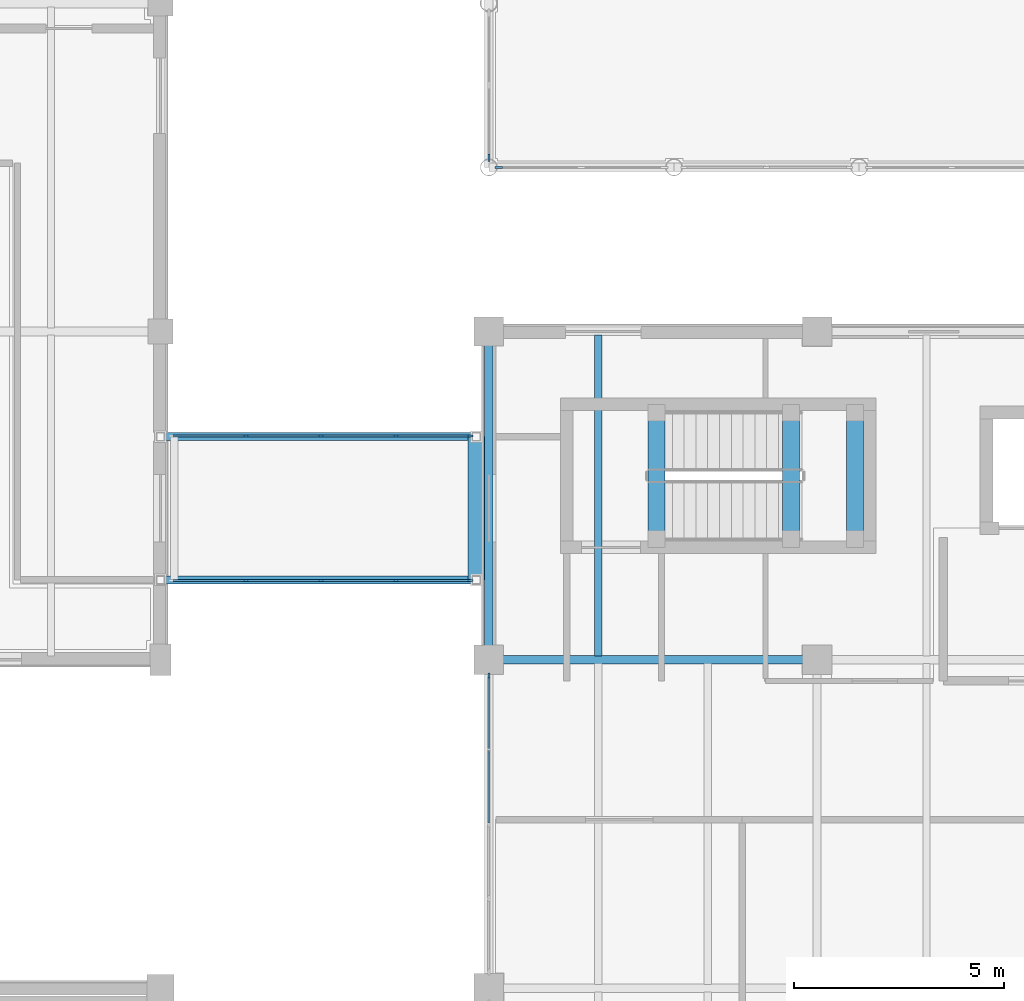
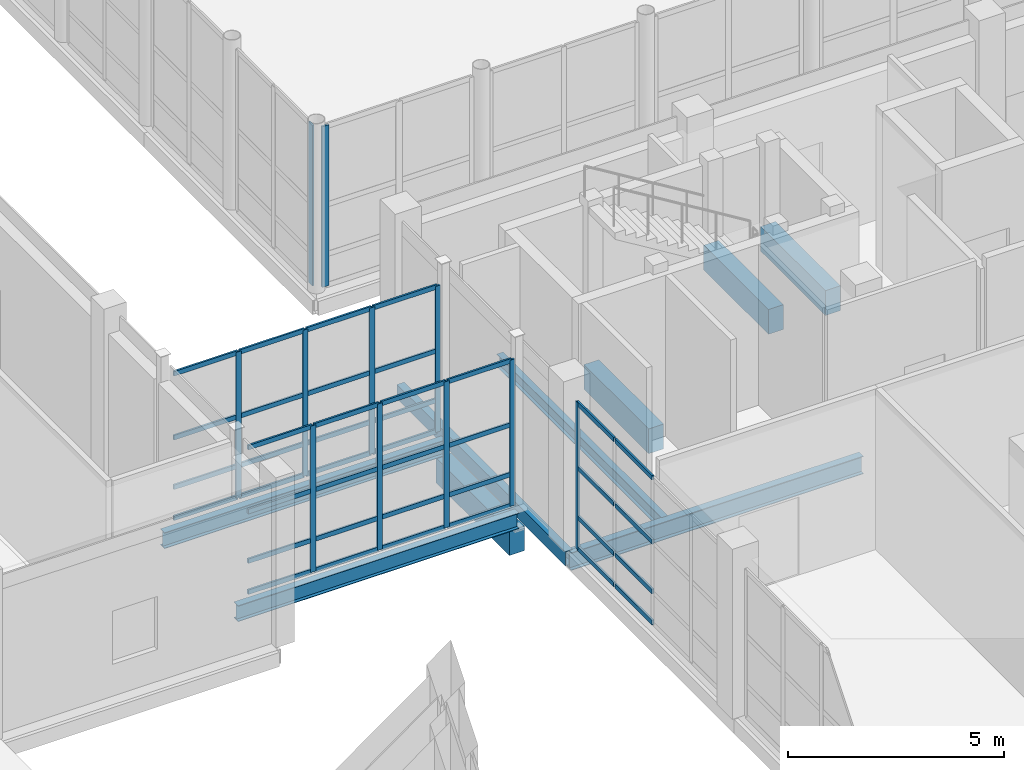
# One storey, part 32 of 131: 51 members, 9 beams, 5 elements without a shape of their own.
"""IFC4 building model written with IfcOpenShell, lengths in metres."""

from ifc_helpers import new_model, si_unit, direction, frame, origin, origin_2d, place, context, subcontext, project, spatial, rectangle, hollow_rectangle, i_section, extrude, material, layer, layer_set, material_profile, profile_set, type_object, element, aggregate, save


model = new_model("IFC4")

# Units and contexts
model_context = context("Model", 3, precision=1e-05, world=origin(), true_north=direction((0.0, 1.0)))
body_context = subcontext(model_context, "Body", "Model", "MODEL_VIEW")
ifc_project = project(units=[si_unit("LENGTHUNIT", "METRE"), si_unit("AREAUNIT", "SQUARE_METRE"), si_unit("VOLUMEUNIT", "CUBIC_METRE"), si_unit("PLANEANGLEUNIT", "RADIAN"), si_unit("MASSUNIT", "GRAM", prefix="KILO")], contexts=[model_context])

# Site, building, storey
site_placement = place(None, origin())
site = spatial("IfcSite", under=ifc_project, at=site_placement, CompositionType="ELEMENT")
building_placement = place(site_placement, origin())
building = spatial("IfcBuilding", under=site, at=building_placement, Name="Celorna Specialist Clinic", CompositionType="ELEMENT")
storey_placement = place(building_placement, origin())
storey = spatial("IfcBuildingStorey", under=building, at=storey_placement, Name="L00", CompositionType="ELEMENT", Elevation=0.0)

# Beams
ifc_material_1 = material(Name="Steel S355", Category="steel")
ifc_material_profile_1 = material_profile(ifc_material_1, i_section(OverallWidth=0.199951171875, OverallDepth=0.5, WebThickness=0.01025390625, FlangeThickness=0.01611328125, at=origin_2d()), Name="IPE 500")
ifc_profile_set_1 = profile_set([ifc_material_profile_1], Name="Steel S355")
beam_type_1 = type_object("IfcBeamType", Name="BM-08", PredefinedType="BEAM", material=ifc_profile_set_1)
beam_1_placement = place(storey_placement, frame((54.60009765625, 35.10009765625, -0.550048828125), z_axis=(1.0, 0.0, 0.0), x_axis=(0.0, 1.0, 0.0)))
element("IfcBeam", 1, at=beam_1_placement, inside=storey, type_object=beam_type_1, Name="Primary girder BM-08 #2022", PredefinedType="BEAM", context=body_context, shape_type="SweptSolid", body=[
    extrude(i_section(OverallWidth=0.199951171875, OverallDepth=0.5, WebThickness=0.01025390625, FlangeThickness=0.01611328125, at=origin_2d()), origin(), (0.0, 0.0, 1.0), 7.7998046875),
])
ifc_material_profile_2 = material_profile(ifc_material_1, i_section(OverallWidth=0.18994140625, OverallDepth=0.449951171875, WebThickness=0.009521484375, FlangeThickness=0.0146484375, at=origin_2d()), Name="IPE 450")
ifc_profile_set_2 = profile_set([ifc_material_profile_2], Name="Steel S355")
beam_type_2 = type_object("IfcBeamType", Name="BM-09", PredefinedType="BEAM", material=ifc_profile_set_2)
for number, where, z_axis, x_axis, name in (
    (2, (46.800048828125, 37.0, -0.445068359375), (1.0, 0.0, 0.0), (0.0, 1.0, 0.0), "Bridge BR-02 edge girder BM-09 #76"),
    (3, (46.800048828125, 40.39990234375, -0.445068359375), (1.0, 0.0, 0.0), (0.0, 1.0, 0.0), "Bridge BR-02 edge girder BM-09 #77"),
):
    element("IfcBeam", number, at=place(storey_placement, frame(where, z_axis=z_axis, x_axis=x_axis)), inside=storey, type_object=beam_type_2, Name=name, PredefinedType="BEAM", context=body_context, shape_type="SweptSolid", body=[
        extrude(i_section(OverallWidth=0.18994140625, OverallDepth=0.449951171875, WebThickness=0.009521484375, FlangeThickness=0.0146484375, at=origin_2d()), origin(), (0.0, 0.0, 1.0), 7.5),
    ])
ifc_material_profile_3 = material_profile(ifc_material_1, i_section(OverallWidth=0.169921875, OverallDepth=0.360107421875, WebThickness=0.008056640625, FlangeThickness=0.0126953125, at=origin_2d()), Name="IPE 360")
ifc_profile_set_3 = profile_set([ifc_material_profile_3], Name="Steel S355")
beam_type_3 = type_object("IfcBeamType", Name="BM-11", PredefinedType="JOIST", material=ifc_profile_set_3)
beam_2_placement = place(storey_placement, frame((57.199951171875, 35.18798828125, -0.47998046875), z_axis=(0.0, 1.0, 0.0), x_axis=(-1.0, 0.0, 0.0)))
element("IfcBeam", 4, at=beam_2_placement, inside=storey, type_object=beam_type_3, Name="Secondary floor joist BM-11 #2048", PredefinedType="JOIST", context=body_context, shape_type="SweptSolid", body=[
    extrude(i_section(OverallWidth=0.169921875, OverallDepth=0.360107421875, WebThickness=0.008056640625, FlangeThickness=0.0126953125, at=origin_2d()), origin(), (0.0, 0.0, 1.0), 7.6240234375),
])
ifc_material_profile_4 = material_profile(ifc_material_1, hollow_rectangle(XDim=0.199951171875, YDim=0.39990234375, WallThickness=0.011962890625, at=origin_2d()), Name="RHS 200x400x12")
ifc_profile_set_4 = profile_set([ifc_material_profile_4], Name="Steel S355")
beam_type_4 = type_object("IfcBeamType", Name="BM-15", PredefinedType="SPANDREL", material=ifc_profile_set_4)
beam_3_placement = place(storey_placement, frame((54.60009765625, 35.10009765625, -0.5), z_axis=(0.0, 1.0, 0.0), x_axis=(-1.0, 0.0, 0.0)))
element("IfcBeam", 5, at=beam_3_placement, inside=storey, type_object=beam_type_4, Name="Spandrel beam BM-15 #2032", PredefinedType="SPANDREL", context=body_context, shape_type="SweptSolid", body=[
    extrude(hollow_rectangle(XDim=0.199951171875, YDim=0.39990234375, WallThickness=0.011962890625, at=origin_2d()), origin(), (0.0, 0.0, 1.0), 7.7998046875),
])
ifc_material_2 = material(Name="Concrete C35/45", Category="concrete")
ifc_material_profile_5 = material_profile(ifc_material_2, rectangle(XDim=0.39990234375, YDim=0.699951171875, at=origin_2d()), Name="RC 400x700")
ifc_profile_set_5 = profile_set([ifc_material_profile_5], Name="Concrete C35/45")
beam_type_5 = type_object("IfcBeamType", Name="BM-19", PredefinedType="BEAM", material=ifc_profile_set_5)
beam_4_placement = place(storey_placement, frame((54.300048828125, 37.0, -1.06494140625), z_axis=(0.0, 1.0, 0.0), x_axis=(-1.0, 0.0, 0.0)))
element("IfcBeam", 6, at=beam_4_placement, inside=storey, type_object=beam_type_5, Name="Seismic joint bridge corbel beam BR-02 BM-19 #78", PredefinedType="BEAM", context=body_context, shape_type="SweptSolid", body=[
    extrude(rectangle(XDim=0.39990234375, YDim=0.699951171875, at=origin_2d()), origin(), (0.0, 0.0, 1.0), 3.39990234375),
])
for number, where, z_axis, x_axis, name in (
    (7, (58.580078125, 37.969970703125, -0.27490234375), (0.0, 1.0, 0.0), (-1.0, 0.0, 0.0), "Stair ST-08 floor landing trimmer beam L00"),
    (8, (61.780029296875, 37.969970703125, 1.97509765625), (0.0, 1.0, 0.0), (-1.0, 0.0, 0.0), "Stair ST-08 half-landing beam L00"),
    (9, (63.300048828125, 37.969970703125, 1.97509765625), (0.0, 1.0, 0.0), (-1.0, 0.0, 0.0), "Stair ST-08 half-landing beam L00"),
):
    element("IfcBeam", number, at=place(storey_placement, frame(where, z_axis=z_axis, x_axis=x_axis)), inside=storey, type_object=beam_type_5, Name=name, PredefinedType="BEAM", context=body_context, shape_type="SweptSolid", body=[
        extrude(rectangle(XDim=0.39990234375, YDim=0.699951171875, at=origin_2d()), origin(), (0.0, 0.0, 1.0), 3.0),
    ])

# Curtain wall, member
ifc_material_3 = material(Name="Thermally broken aluminium and solar-control glass curtain wall", Category="aluminium")
ifc_layer_1 = layer(ifc_material_3, 0.159912109375, Name="Thermally broken aluminium and solar-control glass curtain wall")
ifc_layer_set_1 = layer_set([ifc_layer_1], Name="Thermally broken aluminium and solar-control glass curtain wall")
curtain_wall_type_1 = type_object("IfcCurtainWallType", Name="CW-01", PredefinedType="NOTDEFINED", material=ifc_layer_set_1)
curtain_wall_1_placement = place(storey_placement, origin())
curtain_wall_1 = element("IfcCurtainWall", 10, at=curtain_wall_1_placement, inside=storey, type_object=curtain_wall_type_1, Name="Curtain wall CW-01 #1", PredefinedType="NOTDEFINED")
ifc_material_4 = material(Name="Anodized aluminium mullion", Category="aluminium")
ifc_material_profile_6 = material_profile(ifc_material_4, rectangle(XDim=0.050048828125, YDim=0.179931640625, at=origin_2d()), Name="ALU MULLION 50x180")
ifc_profile_set_6 = profile_set([ifc_material_profile_6], Name="Anodized aluminium mullion")
member_type_1 = type_object("IfcMemberType", Name="ML-02", PredefinedType="MULLION", material=ifc_profile_set_6)
member_1_placement = place(storey_placement, frame((54.832275390625, 46.800048828125, 0.0), z_axis=(0.0, 0.0, 1.0), x_axis=(0.0, -1.0, 0.0)))
member_1 = element("IfcMember", 11, at=member_1_placement, type_object=member_type_1, Name="CW-01 mullion 3", PredefinedType="MULLION", context=body_context, shape_type="SweptSolid", body=[
    extrude(rectangle(XDim=0.050048828125, YDim=0.179931640625, at=origin_2d()), origin(), (0.0, 0.0, 1.0), 4.5400390625),
])
aggregate(curtain_wall_1, [member_1])

ifc_layer_2 = layer(ifc_material_3, 0.159912109375, Name="Thermally broken aluminium and solar-control glass curtain wall")
ifc_layer_set_2 = layer_set([ifc_layer_2], Name="Thermally broken aluminium and solar-control glass curtain wall")
curtain_wall_type_2 = type_object("IfcCurtainWallType", Name="CW-04", PredefinedType="NOTDEFINED", material=ifc_layer_set_2)
curtain_wall_2_placement = place(storey_placement, origin())
curtain_wall_2 = element("IfcCurtainWall", 12, at=curtain_wall_2_placement, inside=storey, type_object=curtain_wall_type_2, Name="Curtain wall CW-04 #10", PredefinedType="NOTDEFINED")
member_2_placement = place(storey_placement, frame((54.60009765625, 47.0322265625, 0.0), z_axis=(0.0, 0.0, 1.0), x_axis=(-1.0, 0.0, 0.0)))
member_2 = element("IfcMember", 13, at=member_2_placement, type_object=member_type_1, Name="CW-04 mullion 1", PredefinedType="MULLION", context=body_context, shape_type="SweptSolid", body=[
    extrude(rectangle(XDim=0.050048828125, YDim=0.179931640625, at=origin_2d()), origin(), (0.0, 0.0, 1.0), 4.5400390625),
])
aggregate(curtain_wall_2, [member_2])

ifc_layer_3 = layer(ifc_material_3, 0.159912109375, Name="Thermally broken aluminium and solar-control glass curtain wall")
ifc_layer_set_3 = layer_set([ifc_layer_3], Name="Thermally broken aluminium and solar-control glass curtain wall")
curtain_wall_type_3 = type_object("IfcCurtainWallType", Name="CW-103", PredefinedType="NOTDEFINED", material=ifc_layer_set_3)
curtain_wall_3_placement = place(storey_placement, origin())
curtain_wall_3 = element("IfcCurtainWall", 14, at=curtain_wall_3_placement, inside=storey, type_object=curtain_wall_type_3, Name="Curtain wall CW-103 #182", PredefinedType="NOTDEFINED")
ifc_material_profile_7 = material_profile(ifc_material_4, rectangle(XDim=0.050048828125, YDim=0.139892578125, at=origin_2d()), Name="ALU MULLION 50x140")
ifc_profile_set_7 = profile_set([ifc_material_profile_7], Name="Anodized aluminium mullion")
member_type_2 = type_object("IfcMemberType", Name="ML-03", PredefinedType="MULLION", material=ifc_profile_set_7)
member_3_placement = place(storey_placement, frame((54.60009765625, 34.720947265625, 0.0), z_axis=(0.0, 0.0, 1.0), x_axis=(-1.0, 0.0, 0.0)))
member_3 = element("IfcMember", 15, at=member_3_placement, type_object=member_type_2, Name="CW-103 mullion 5", PredefinedType="MULLION", context=body_context, shape_type="SweptSolid", body=[
    extrude(rectangle(XDim=0.050048828125, YDim=0.139892578125, at=origin_2d()), origin(), (0.0, 0.0, 1.0), 4.139892578125),
])

# Curtain wall, members
ifc_layer_4 = layer(ifc_material_3, 0.159912109375, Name="Thermally broken aluminium and solar-control glass curtain wall")
ifc_layer_set_4 = layer_set([ifc_layer_4], Name="Thermally broken aluminium and solar-control glass curtain wall")
curtain_wall_type_4 = type_object("IfcCurtainWallType", Name="CW-111", PredefinedType="NOTDEFINED", material=ifc_layer_set_4)
curtain_wall_4_placement = place(storey_placement, origin())
curtain_wall_4 = element("IfcCurtainWall", 16, at=curtain_wall_4_placement, inside=storey, type_object=curtain_wall_type_4, Name="Curtain wall CW-111 #202", PredefinedType="NOTDEFINED")
member_4_placement = place(storey_placement, frame((54.155029296875, 36.97998046875, 0.0), z_axis=(0.0, 0.0, 1.0), x_axis=(0.0, -1.0, 0.0)))
member_4 = element("IfcMember", 17, at=member_4_placement, type_object=member_type_2, Name="CW-111 mullion 1", PredefinedType="MULLION", context=body_context, shape_type="SweptSolid", body=[
    extrude(rectangle(XDim=0.050048828125, YDim=0.139892578125, at=origin_2d()), origin(), (0.0, 0.0, 1.0), 4.1298828125),
])
member_5_placement = place(storey_placement, frame((52.3974609375, 36.97998046875, 0.0), z_axis=(0.0, 0.0, 1.0), x_axis=(0.0, -1.0, 0.0)))
member_5 = element("IfcMember", 18, at=member_5_placement, type_object=member_type_2, Name="CW-111 mullion 2", PredefinedType="MULLION", context=body_context, shape_type="SweptSolid", body=[
    extrude(rectangle(XDim=0.050048828125, YDim=0.139892578125, at=origin_2d()), origin(), (0.0, 0.0, 1.0), 4.1298828125),
])
member_6_placement = place(storey_placement, frame((50.614990234375, 36.97998046875, 0.0), z_axis=(0.0, 0.0, 1.0), x_axis=(0.0, -1.0, 0.0)))
member_6 = element("IfcMember", 19, at=member_6_placement, type_object=member_type_2, Name="CW-111 mullion 3", PredefinedType="MULLION", context=body_context, shape_type="SweptSolid", body=[
    extrude(rectangle(XDim=0.050048828125, YDim=0.139892578125, at=origin_2d()), origin(), (0.0, 0.0, 1.0), 4.1298828125),
])
member_7_placement = place(storey_placement, frame((48.83251953125, 36.97998046875, 0.0), z_axis=(0.0, 0.0, 1.0), x_axis=(0.0, -1.0, 0.0)))
member_7 = element("IfcMember", 20, at=member_7_placement, type_object=member_type_2, Name="CW-111 mullion 4", PredefinedType="MULLION", context=body_context, shape_type="SweptSolid", body=[
    extrude(rectangle(XDim=0.050048828125, YDim=0.139892578125, at=origin_2d()), origin(), (0.0, 0.0, 1.0), 4.1298828125),
])

curtain_wall_5_placement = place(storey_placement, origin())
curtain_wall_5 = element("IfcCurtainWall", 21, at=curtain_wall_5_placement, inside=storey, type_object=curtain_wall_type_4, Name="Curtain wall CW-111 #203", PredefinedType="NOTDEFINED")
member_8_placement = place(storey_placement, frame((48.83251953125, 40.419921875, 0.0), z_axis=(0.0, 0.0, 1.0), x_axis=(0.0, 1.0, 0.0)))
member_8 = element("IfcMember", 22, at=member_8_placement, type_object=member_type_2, Name="CW-111 mullion 2", PredefinedType="MULLION", context=body_context, shape_type="SweptSolid", body=[
    extrude(rectangle(XDim=0.050048828125, YDim=0.139892578125, at=origin_2d()), origin(), (0.0, 0.0, 1.0), 4.1298828125),
])
member_9_placement = place(storey_placement, frame((50.614990234375, 40.419921875, 0.0), z_axis=(0.0, 0.0, 1.0), x_axis=(0.0, 1.0, 0.0)))
member_9 = element("IfcMember", 23, at=member_9_placement, type_object=member_type_2, Name="CW-111 mullion 3", PredefinedType="MULLION", context=body_context, shape_type="SweptSolid", body=[
    extrude(rectangle(XDim=0.050048828125, YDim=0.139892578125, at=origin_2d()), origin(), (0.0, 0.0, 1.0), 4.1298828125),
])
member_10_placement = place(storey_placement, frame((52.3974609375, 40.419921875, 0.0), z_axis=(0.0, 0.0, 1.0), x_axis=(0.0, 1.0, 0.0)))
member_10 = element("IfcMember", 24, at=member_10_placement, type_object=member_type_2, Name="CW-111 mullion 4", PredefinedType="MULLION", context=body_context, shape_type="SweptSolid", body=[
    extrude(rectangle(XDim=0.050048828125, YDim=0.139892578125, at=origin_2d()), origin(), (0.0, 0.0, 1.0), 4.1298828125),
])
member_11_placement = place(storey_placement, frame((54.155029296875, 40.419921875, 0.0), z_axis=(0.0, 0.0, 1.0), x_axis=(0.0, 1.0, 0.0)))
member_11 = element("IfcMember", 25, at=member_11_placement, type_object=member_type_2, Name="CW-111 mullion 5", PredefinedType="MULLION", context=body_context, shape_type="SweptSolid", body=[
    extrude(rectangle(XDim=0.050048828125, YDim=0.139892578125, at=origin_2d()), origin(), (0.0, 0.0, 1.0), 4.1298828125),
])

# Member
ifc_material_5 = material(Name="Anodized aluminium transom", Category="aluminium")
ifc_material_profile_8 = material_profile(ifc_material_5, rectangle(XDim=0.050048828125, YDim=0.1298828125, at=origin_2d()), Name="ALU TRANSOM 50x130")
ifc_profile_set_8 = profile_set([ifc_material_profile_8], Name="Anodized aluminium transom")
member_type_3 = type_object("IfcMemberType", Name="TR-01", PredefinedType="USERDEFINED", material=ifc_profile_set_8)
member_12_placement = place(storey_placement, frame((54.60009765625, 31.22509765625, 0.02490234375), z_axis=(0.0, 1.0, 0.0), x_axis=(-1.0, 0.0, 0.0)))
member_12 = element("IfcMember", 26, at=member_12_placement, type_object=member_type_3, Name="CW-103 transom 3.1", ObjectType="TRANSOM", PredefinedType="USERDEFINED", context=body_context, shape_type="SweptSolid", body=[
    extrude(rectangle(XDim=0.050048828125, YDim=0.1298828125, at=origin_2d()), origin(), (0.0, 0.0, 1.0), 1.722900390625),
])

member_13_placement = place(storey_placement, frame((54.60009765625, 31.22509765625, 0.89990234375), z_axis=(0.0, 1.0, 0.0), x_axis=(-1.0, 0.0, 0.0)))
member_13 = element("IfcMember", 27, at=member_13_placement, type_object=member_type_3, Name="CW-103 transom 3.2", ObjectType="TRANSOM", PredefinedType="USERDEFINED", context=body_context, shape_type="SweptSolid", body=[
    extrude(rectangle(XDim=0.050048828125, YDim=0.1298828125, at=origin_2d()), origin(), (0.0, 0.0, 1.0), 1.722900390625),
])

member_14_placement = place(storey_placement, frame((54.60009765625, 31.22509765625, 2.300048828125), z_axis=(0.0, 1.0, 0.0), x_axis=(-1.0, 0.0, 0.0)))
member_14 = element("IfcMember", 28, at=member_14_placement, type_object=member_type_3, Name="CW-103 transom 3.3", ObjectType="TRANSOM", PredefinedType="USERDEFINED", context=body_context, shape_type="SweptSolid", body=[
    extrude(rectangle(XDim=0.050048828125, YDim=0.1298828125, at=origin_2d()), origin(), (0.0, 0.0, 1.0), 1.722900390625),
])

member_15_placement = place(storey_placement, frame((54.60009765625, 31.22509765625, 4.114990234375), z_axis=(0.0, 1.0, 0.0), x_axis=(-1.0, 0.0, 0.0)))
member_15 = element("IfcMember", 29, at=member_15_placement, type_object=member_type_3, Name="CW-103 transom 3.4", ObjectType="TRANSOM", PredefinedType="USERDEFINED", context=body_context, shape_type="SweptSolid", body=[
    extrude(rectangle(XDim=0.050048828125, YDim=0.1298828125, at=origin_2d()), origin(), (0.0, 0.0, 1.0), 1.722900390625),
])

member_16_placement = place(storey_placement, frame((54.60009765625, 32.998046875, 0.02490234375), z_axis=(0.0, 1.0, 0.0), x_axis=(-1.0, 0.0, 0.0)))
member_16 = element("IfcMember", 30, at=member_16_placement, type_object=member_type_3, Name="CW-103 transom 4.1", ObjectType="TRANSOM", PredefinedType="USERDEFINED", context=body_context, shape_type="SweptSolid", body=[
    extrude(rectangle(XDim=0.050048828125, YDim=0.1298828125, at=origin_2d()), origin(), (0.0, 0.0, 1.0), 1.697998046875),
])

member_17_placement = place(storey_placement, frame((54.60009765625, 32.998046875, 0.89990234375), z_axis=(0.0, 1.0, 0.0), x_axis=(-1.0, 0.0, 0.0)))
member_17 = element("IfcMember", 31, at=member_17_placement, type_object=member_type_3, Name="CW-103 transom 4.2", ObjectType="TRANSOM", PredefinedType="USERDEFINED", context=body_context, shape_type="SweptSolid", body=[
    extrude(rectangle(XDim=0.050048828125, YDim=0.1298828125, at=origin_2d()), origin(), (0.0, 0.0, 1.0), 1.697998046875),
])

member_18_placement = place(storey_placement, frame((54.60009765625, 32.998046875, 2.300048828125), z_axis=(0.0, 1.0, 0.0), x_axis=(-1.0, 0.0, 0.0)))
member_18 = element("IfcMember", 32, at=member_18_placement, type_object=member_type_3, Name="CW-103 transom 4.3", ObjectType="TRANSOM", PredefinedType="USERDEFINED", context=body_context, shape_type="SweptSolid", body=[
    extrude(rectangle(XDim=0.050048828125, YDim=0.1298828125, at=origin_2d()), origin(), (0.0, 0.0, 1.0), 1.697998046875),
])

member_19_placement = place(storey_placement, frame((54.60009765625, 32.998046875, 4.114990234375), z_axis=(0.0, 1.0, 0.0), x_axis=(-1.0, 0.0, 0.0)))
member_19 = element("IfcMember", 33, at=member_19_placement, type_object=member_type_3, Name="CW-103 transom 4.4", ObjectType="TRANSOM", PredefinedType="USERDEFINED", context=body_context, shape_type="SweptSolid", body=[
    extrude(rectangle(XDim=0.050048828125, YDim=0.1298828125, at=origin_2d()), origin(), (0.0, 0.0, 1.0), 1.697998046875),
])

aggregate(curtain_wall_3, [member_3, member_12, member_13, member_14, member_15, member_16, member_17, member_18, member_19])

member_20_placement = place(storey_placement, frame((54.1298828125, 36.97998046875, 0.02490234375), z_axis=(-1.0, 0.0, 0.0), x_axis=(0.0, -1.0, 0.0)))
member_20 = element("IfcMember", 34, at=member_20_placement, type_object=member_type_3, Name="CW-111 transom 1.1", ObjectType="TRANSOM", PredefinedType="USERDEFINED", context=body_context, shape_type="SweptSolid", body=[
    extrude(rectangle(XDim=0.050048828125, YDim=0.1298828125, at=origin_2d()), origin(), (0.0, 0.0, 1.0), 1.707275390625),
])

member_21_placement = place(storey_placement, frame((54.1298828125, 36.97998046875, 0.89990234375), z_axis=(-1.0, 0.0, 0.0), x_axis=(0.0, -1.0, 0.0)))
member_21 = element("IfcMember", 35, at=member_21_placement, type_object=member_type_3, Name="CW-111 transom 1.2", ObjectType="TRANSOM", PredefinedType="USERDEFINED", context=body_context, shape_type="SweptSolid", body=[
    extrude(rectangle(XDim=0.050048828125, YDim=0.1298828125, at=origin_2d()), origin(), (0.0, 0.0, 1.0), 1.707275390625),
])

member_22_placement = place(storey_placement, frame((54.1298828125, 36.97998046875, 2.300048828125), z_axis=(-1.0, 0.0, 0.0), x_axis=(0.0, -1.0, 0.0)))
member_22 = element("IfcMember", 36, at=member_22_placement, type_object=member_type_3, Name="CW-111 transom 1.3", ObjectType="TRANSOM", PredefinedType="USERDEFINED", context=body_context, shape_type="SweptSolid", body=[
    extrude(rectangle(XDim=0.050048828125, YDim=0.1298828125, at=origin_2d()), origin(), (0.0, 0.0, 1.0), 1.707275390625),
])

member_23_placement = place(storey_placement, frame((54.1298828125, 36.97998046875, 4.10498046875), z_axis=(-1.0, 0.0, 0.0), x_axis=(0.0, -1.0, 0.0)))
member_23 = element("IfcMember", 37, at=member_23_placement, type_object=member_type_3, Name="CW-111 transom 1.4", ObjectType="TRANSOM", PredefinedType="USERDEFINED", context=body_context, shape_type="SweptSolid", body=[
    extrude(rectangle(XDim=0.050048828125, YDim=0.1298828125, at=origin_2d()), origin(), (0.0, 0.0, 1.0), 1.707275390625),
])

member_24_placement = place(storey_placement, frame((52.37255859375, 36.97998046875, 0.02490234375), z_axis=(-1.0, 0.0, 0.0), x_axis=(0.0, -1.0, 0.0)))
member_24 = element("IfcMember", 38, at=member_24_placement, type_object=member_type_3, Name="CW-111 transom 2.1", ObjectType="TRANSOM", PredefinedType="USERDEFINED", context=body_context, shape_type="SweptSolid", body=[
    extrude(rectangle(XDim=0.050048828125, YDim=0.1298828125, at=origin_2d()), origin(), (0.0, 0.0, 1.0), 1.732666015625),
])

member_25_placement = place(storey_placement, frame((52.37255859375, 36.97998046875, 0.89990234375), z_axis=(-1.0, 0.0, 0.0), x_axis=(0.0, -1.0, 0.0)))
member_25 = element("IfcMember", 39, at=member_25_placement, type_object=member_type_3, Name="CW-111 transom 2.2", ObjectType="TRANSOM", PredefinedType="USERDEFINED", context=body_context, shape_type="SweptSolid", body=[
    extrude(rectangle(XDim=0.050048828125, YDim=0.1298828125, at=origin_2d()), origin(), (0.0, 0.0, 1.0), 1.732666015625),
])

member_26_placement = place(storey_placement, frame((52.37255859375, 36.97998046875, 2.300048828125), z_axis=(-1.0, 0.0, 0.0), x_axis=(0.0, -1.0, 0.0)))
member_26 = element("IfcMember", 40, at=member_26_placement, type_object=member_type_3, Name="CW-111 transom 2.3", ObjectType="TRANSOM", PredefinedType="USERDEFINED", context=body_context, shape_type="SweptSolid", body=[
    extrude(rectangle(XDim=0.050048828125, YDim=0.1298828125, at=origin_2d()), origin(), (0.0, 0.0, 1.0), 1.732666015625),
])

member_27_placement = place(storey_placement, frame((52.37255859375, 36.97998046875, 4.10498046875), z_axis=(-1.0, 0.0, 0.0), x_axis=(0.0, -1.0, 0.0)))
member_27 = element("IfcMember", 41, at=member_27_placement, type_object=member_type_3, Name="CW-111 transom 2.4", ObjectType="TRANSOM", PredefinedType="USERDEFINED", context=body_context, shape_type="SweptSolid", body=[
    extrude(rectangle(XDim=0.050048828125, YDim=0.1298828125, at=origin_2d()), origin(), (0.0, 0.0, 1.0), 1.732666015625),
])

member_28_placement = place(storey_placement, frame((50.590087890625, 36.97998046875, 0.02490234375), z_axis=(-1.0, 0.0, 0.0), x_axis=(0.0, -1.0, 0.0)))
member_28 = element("IfcMember", 42, at=member_28_placement, type_object=member_type_3, Name="CW-111 transom 3.1", ObjectType="TRANSOM", PredefinedType="USERDEFINED", context=body_context, shape_type="SweptSolid", body=[
    extrude(rectangle(XDim=0.050048828125, YDim=0.1298828125, at=origin_2d()), origin(), (0.0, 0.0, 1.0), 1.732666015625),
])

member_29_placement = place(storey_placement, frame((50.590087890625, 36.97998046875, 0.89990234375), z_axis=(-1.0, 0.0, 0.0), x_axis=(0.0, -1.0, 0.0)))
member_29 = element("IfcMember", 43, at=member_29_placement, type_object=member_type_3, Name="CW-111 transom 3.2", ObjectType="TRANSOM", PredefinedType="USERDEFINED", context=body_context, shape_type="SweptSolid", body=[
    extrude(rectangle(XDim=0.050048828125, YDim=0.1298828125, at=origin_2d()), origin(), (0.0, 0.0, 1.0), 1.732666015625),
])

member_30_placement = place(storey_placement, frame((50.590087890625, 36.97998046875, 2.300048828125), z_axis=(-1.0, 0.0, 0.0), x_axis=(0.0, -1.0, 0.0)))
member_30 = element("IfcMember", 44, at=member_30_placement, type_object=member_type_3, Name="CW-111 transom 3.3", ObjectType="TRANSOM", PredefinedType="USERDEFINED", context=body_context, shape_type="SweptSolid", body=[
    extrude(rectangle(XDim=0.050048828125, YDim=0.1298828125, at=origin_2d()), origin(), (0.0, 0.0, 1.0), 1.732666015625),
])

member_31_placement = place(storey_placement, frame((50.590087890625, 36.97998046875, 4.10498046875), z_axis=(-1.0, 0.0, 0.0), x_axis=(0.0, -1.0, 0.0)))
member_31 = element("IfcMember", 45, at=member_31_placement, type_object=member_type_3, Name="CW-111 transom 3.4", ObjectType="TRANSOM", PredefinedType="USERDEFINED", context=body_context, shape_type="SweptSolid", body=[
    extrude(rectangle(XDim=0.050048828125, YDim=0.1298828125, at=origin_2d()), origin(), (0.0, 0.0, 1.0), 1.732666015625),
])

member_32_placement = place(storey_placement, frame((48.8076171875, 36.97998046875, 0.02490234375), z_axis=(-1.0, 0.0, 0.0), x_axis=(0.0, -1.0, 0.0)))
member_32 = element("IfcMember", 46, at=member_32_placement, type_object=member_type_3, Name="CW-111 transom 4.1", ObjectType="TRANSOM", PredefinedType="USERDEFINED", context=body_context, shape_type="SweptSolid", body=[
    extrude(rectangle(XDim=0.050048828125, YDim=0.1298828125, at=origin_2d()), origin(), (0.0, 0.0, 1.0), 1.70751953125),
])

member_33_placement = place(storey_placement, frame((48.8076171875, 36.97998046875, 0.89990234375), z_axis=(-1.0, 0.0, 0.0), x_axis=(0.0, -1.0, 0.0)))
member_33 = element("IfcMember", 47, at=member_33_placement, type_object=member_type_3, Name="CW-111 transom 4.2", ObjectType="TRANSOM", PredefinedType="USERDEFINED", context=body_context, shape_type="SweptSolid", body=[
    extrude(rectangle(XDim=0.050048828125, YDim=0.1298828125, at=origin_2d()), origin(), (0.0, 0.0, 1.0), 1.70751953125),
])

member_34_placement = place(storey_placement, frame((48.8076171875, 36.97998046875, 2.300048828125), z_axis=(-1.0, 0.0, 0.0), x_axis=(0.0, -1.0, 0.0)))
member_34 = element("IfcMember", 48, at=member_34_placement, type_object=member_type_3, Name="CW-111 transom 4.3", ObjectType="TRANSOM", PredefinedType="USERDEFINED", context=body_context, shape_type="SweptSolid", body=[
    extrude(rectangle(XDim=0.050048828125, YDim=0.1298828125, at=origin_2d()), origin(), (0.0, 0.0, 1.0), 1.70751953125),
])

member_35_placement = place(storey_placement, frame((48.8076171875, 36.97998046875, 4.10498046875), z_axis=(-1.0, 0.0, 0.0), x_axis=(0.0, -1.0, 0.0)))
member_35 = element("IfcMember", 49, at=member_35_placement, type_object=member_type_3, Name="CW-111 transom 4.4", ObjectType="TRANSOM", PredefinedType="USERDEFINED", context=body_context, shape_type="SweptSolid", body=[
    extrude(rectangle(XDim=0.050048828125, YDim=0.1298828125, at=origin_2d()), origin(), (0.0, 0.0, 1.0), 1.70751953125),
])

aggregate(curtain_wall_4, [member_4, member_5, member_6, member_7, member_20, member_21, member_22, member_23, member_24, member_25, member_26, member_27, member_28, member_29, member_30, member_31, member_32, member_33, member_34, member_35])

member_36_placement = place(storey_placement, frame((47.10009765625, 40.419921875, 0.02490234375), z_axis=(1.0, 0.0, 0.0), x_axis=(0.0, 1.0, 0.0)))
member_36 = element("IfcMember", 50, at=member_36_placement, type_object=member_type_3, Name="CW-111 transom 1.1", ObjectType="TRANSOM", PredefinedType="USERDEFINED", context=body_context, shape_type="SweptSolid", body=[
    extrude(rectangle(XDim=0.050048828125, YDim=0.1298828125, at=origin_2d()), origin(), (0.0, 0.0, 1.0), 1.70751953125),
])

member_37_placement = place(storey_placement, frame((47.10009765625, 40.419921875, 0.89990234375), z_axis=(1.0, 0.0, 0.0), x_axis=(0.0, 1.0, 0.0)))
member_37 = element("IfcMember", 51, at=member_37_placement, type_object=member_type_3, Name="CW-111 transom 1.2", ObjectType="TRANSOM", PredefinedType="USERDEFINED", context=body_context, shape_type="SweptSolid", body=[
    extrude(rectangle(XDim=0.050048828125, YDim=0.1298828125, at=origin_2d()), origin(), (0.0, 0.0, 1.0), 1.70751953125),
])

member_38_placement = place(storey_placement, frame((47.10009765625, 40.419921875, 2.300048828125), z_axis=(1.0, 0.0, 0.0), x_axis=(0.0, 1.0, 0.0)))
member_38 = element("IfcMember", 52, at=member_38_placement, type_object=member_type_3, Name="CW-111 transom 1.3", ObjectType="TRANSOM", PredefinedType="USERDEFINED", context=body_context, shape_type="SweptSolid", body=[
    extrude(rectangle(XDim=0.050048828125, YDim=0.1298828125, at=origin_2d()), origin(), (0.0, 0.0, 1.0), 1.70751953125),
])

member_39_placement = place(storey_placement, frame((47.10009765625, 40.419921875, 4.10498046875), z_axis=(1.0, 0.0, 0.0), x_axis=(0.0, 1.0, 0.0)))
member_39 = element("IfcMember", 53, at=member_39_placement, type_object=member_type_3, Name="CW-111 transom 1.4", ObjectType="TRANSOM", PredefinedType="USERDEFINED", context=body_context, shape_type="SweptSolid", body=[
    extrude(rectangle(XDim=0.050048828125, YDim=0.1298828125, at=origin_2d()), origin(), (0.0, 0.0, 1.0), 1.70751953125),
])

member_40_placement = place(storey_placement, frame((48.857421875, 40.419921875, 0.02490234375), z_axis=(1.0, 0.0, 0.0), x_axis=(0.0, 1.0, 0.0)))
member_40 = element("IfcMember", 54, at=member_40_placement, type_object=member_type_3, Name="CW-111 transom 2.1", ObjectType="TRANSOM", PredefinedType="USERDEFINED", context=body_context, shape_type="SweptSolid", body=[
    extrude(rectangle(XDim=0.050048828125, YDim=0.1298828125, at=origin_2d()), origin(), (0.0, 0.0, 1.0), 1.732666015625),
])

member_41_placement = place(storey_placement, frame((48.857421875, 40.419921875, 0.89990234375), z_axis=(1.0, 0.0, 0.0), x_axis=(0.0, 1.0, 0.0)))
member_41 = element("IfcMember", 55, at=member_41_placement, type_object=member_type_3, Name="CW-111 transom 2.2", ObjectType="TRANSOM", PredefinedType="USERDEFINED", context=body_context, shape_type="SweptSolid", body=[
    extrude(rectangle(XDim=0.050048828125, YDim=0.1298828125, at=origin_2d()), origin(), (0.0, 0.0, 1.0), 1.732666015625),
])

member_42_placement = place(storey_placement, frame((48.857421875, 40.419921875, 2.300048828125), z_axis=(1.0, 0.0, 0.0), x_axis=(0.0, 1.0, 0.0)))
member_42 = element("IfcMember", 56, at=member_42_placement, type_object=member_type_3, Name="CW-111 transom 2.3", ObjectType="TRANSOM", PredefinedType="USERDEFINED", context=body_context, shape_type="SweptSolid", body=[
    extrude(rectangle(XDim=0.050048828125, YDim=0.1298828125, at=origin_2d()), origin(), (0.0, 0.0, 1.0), 1.732666015625),
])

member_43_placement = place(storey_placement, frame((48.857421875, 40.419921875, 4.10498046875), z_axis=(1.0, 0.0, 0.0), x_axis=(0.0, 1.0, 0.0)))
member_43 = element("IfcMember", 57, at=member_43_placement, type_object=member_type_3, Name="CW-111 transom 2.4", ObjectType="TRANSOM", PredefinedType="USERDEFINED", context=body_context, shape_type="SweptSolid", body=[
    extrude(rectangle(XDim=0.050048828125, YDim=0.1298828125, at=origin_2d()), origin(), (0.0, 0.0, 1.0), 1.732666015625),
])

member_44_placement = place(storey_placement, frame((50.639892578125, 40.419921875, 0.02490234375), z_axis=(1.0, 0.0, 0.0), x_axis=(0.0, 1.0, 0.0)))
member_44 = element("IfcMember", 58, at=member_44_placement, type_object=member_type_3, Name="CW-111 transom 3.1", ObjectType="TRANSOM", PredefinedType="USERDEFINED", context=body_context, shape_type="SweptSolid", body=[
    extrude(rectangle(XDim=0.050048828125, YDim=0.1298828125, at=origin_2d()), origin(), (0.0, 0.0, 1.0), 1.732666015625),
])

member_45_placement = place(storey_placement, frame((50.639892578125, 40.419921875, 0.89990234375), z_axis=(1.0, 0.0, 0.0), x_axis=(0.0, 1.0, 0.0)))
member_45 = element("IfcMember", 59, at=member_45_placement, type_object=member_type_3, Name="CW-111 transom 3.2", ObjectType="TRANSOM", PredefinedType="USERDEFINED", context=body_context, shape_type="SweptSolid", body=[
    extrude(rectangle(XDim=0.050048828125, YDim=0.1298828125, at=origin_2d()), origin(), (0.0, 0.0, 1.0), 1.732666015625),
])

member_46_placement = place(storey_placement, frame((50.639892578125, 40.419921875, 2.300048828125), z_axis=(1.0, 0.0, 0.0), x_axis=(0.0, 1.0, 0.0)))
member_46 = element("IfcMember", 60, at=member_46_placement, type_object=member_type_3, Name="CW-111 transom 3.3", ObjectType="TRANSOM", PredefinedType="USERDEFINED", context=body_context, shape_type="SweptSolid", body=[
    extrude(rectangle(XDim=0.050048828125, YDim=0.1298828125, at=origin_2d()), origin(), (0.0, 0.0, 1.0), 1.732666015625),
])

member_47_placement = place(storey_placement, frame((50.639892578125, 40.419921875, 4.10498046875), z_axis=(1.0, 0.0, 0.0), x_axis=(0.0, 1.0, 0.0)))
member_47 = element("IfcMember", 61, at=member_47_placement, type_object=member_type_3, Name="CW-111 transom 3.4", ObjectType="TRANSOM", PredefinedType="USERDEFINED", context=body_context, shape_type="SweptSolid", body=[
    extrude(rectangle(XDim=0.050048828125, YDim=0.1298828125, at=origin_2d()), origin(), (0.0, 0.0, 1.0), 1.732666015625),
])

member_48_placement = place(storey_placement, frame((52.422607421875, 40.419921875, 0.02490234375), z_axis=(1.0, 0.0, 0.0), x_axis=(0.0, 1.0, 0.0)))
member_48 = element("IfcMember", 62, at=member_48_placement, type_object=member_type_3, Name="CW-111 transom 4.1", ObjectType="TRANSOM", PredefinedType="USERDEFINED", context=body_context, shape_type="SweptSolid", body=[
    extrude(rectangle(XDim=0.050048828125, YDim=0.1298828125, at=origin_2d()), origin(), (0.0, 0.0, 1.0), 1.707275390625),
])

member_49_placement = place(storey_placement, frame((52.422607421875, 40.419921875, 0.89990234375), z_axis=(1.0, 0.0, 0.0), x_axis=(0.0, 1.0, 0.0)))
member_49 = element("IfcMember", 63, at=member_49_placement, type_object=member_type_3, Name="CW-111 transom 4.2", ObjectType="TRANSOM", PredefinedType="USERDEFINED", context=body_context, shape_type="SweptSolid", body=[
    extrude(rectangle(XDim=0.050048828125, YDim=0.1298828125, at=origin_2d()), origin(), (0.0, 0.0, 1.0), 1.707275390625),
])

member_50_placement = place(storey_placement, frame((52.422607421875, 40.419921875, 2.300048828125), z_axis=(1.0, 0.0, 0.0), x_axis=(0.0, 1.0, 0.0)))
member_50 = element("IfcMember", 64, at=member_50_placement, type_object=member_type_3, Name="CW-111 transom 4.3", ObjectType="TRANSOM", PredefinedType="USERDEFINED", context=body_context, shape_type="SweptSolid", body=[
    extrude(rectangle(XDim=0.050048828125, YDim=0.1298828125, at=origin_2d()), origin(), (0.0, 0.0, 1.0), 1.707275390625),
])

member_51_placement = place(storey_placement, frame((52.422607421875, 40.419921875, 4.10498046875), z_axis=(1.0, 0.0, 0.0), x_axis=(0.0, 1.0, 0.0)))
member_51 = element("IfcMember", 65, at=member_51_placement, type_object=member_type_3, Name="CW-111 transom 4.4", ObjectType="TRANSOM", PredefinedType="USERDEFINED", context=body_context, shape_type="SweptSolid", body=[
    extrude(rectangle(XDim=0.050048828125, YDim=0.1298828125, at=origin_2d()), origin(), (0.0, 0.0, 1.0), 1.707275390625),
])

aggregate(curtain_wall_5, [member_8, member_9, member_10, member_11, member_36, member_37, member_38, member_39, member_40, member_41, member_42, member_43, member_44, member_45, member_46, member_47, member_48, member_49, member_50, member_51])

save(model, "model.ifc")
